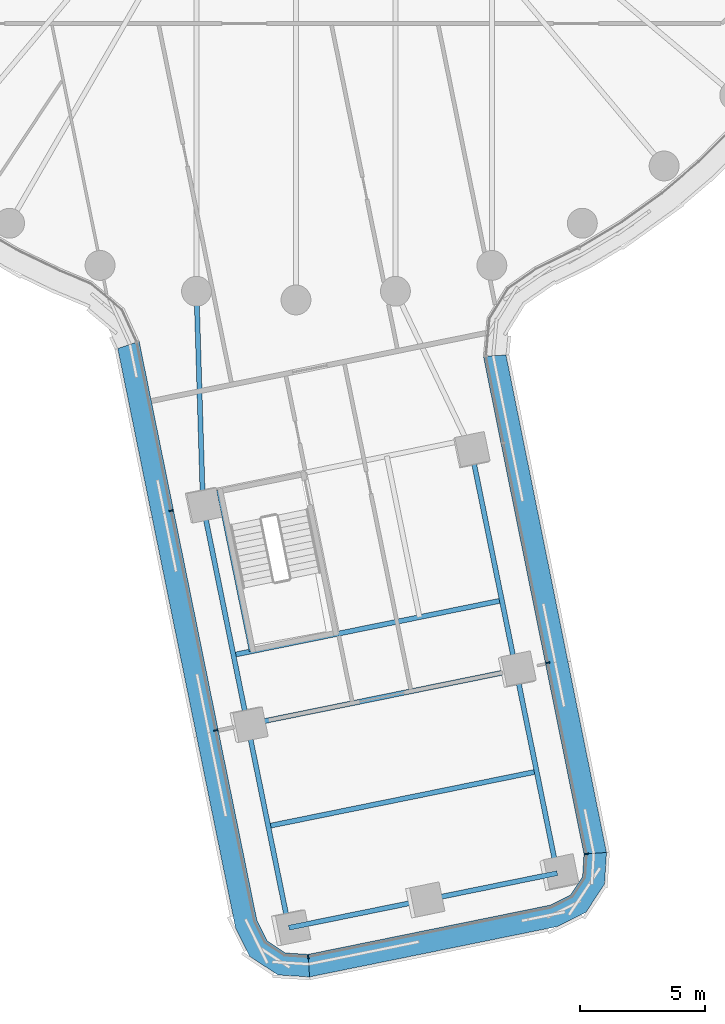
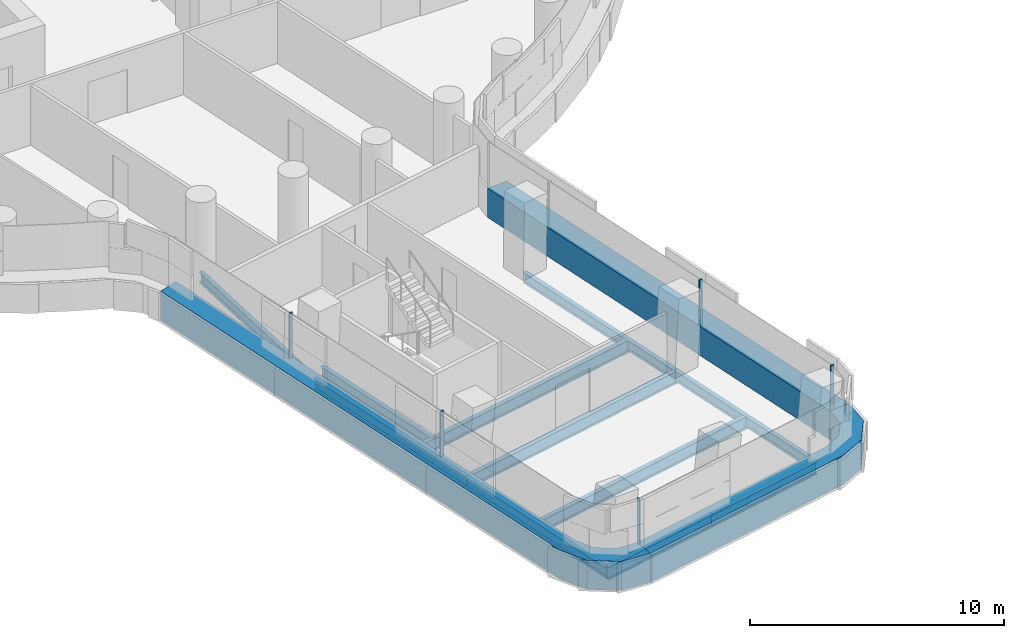
# One storey, part 2 of 31: 11 beams, 8 members, 3 elements without a shape of their own.
"""IFC4 building model written with IfcOpenShell, lengths in metres."""

from ifc_helpers import new_model, si_unit, direction, frame, origin, origin_2d, place, context, subcontext, project, spatial, polyline, rectangle, i_section, outline, extrude, material, layer, layer_set, material_profile, profile_set, type_object, element, aggregate, save


model = new_model("IFC4")

# Units and contexts
model_context = context("Model", 3, precision=1e-05, world=origin(), true_north=direction((0.0, 1.0)))
body_context = subcontext(model_context, "Body", "Model", "MODEL_VIEW")
ifc_project = project(units=[si_unit("LENGTHUNIT", "METRE"), si_unit("AREAUNIT", "SQUARE_METRE"), si_unit("VOLUMEUNIT", "CUBIC_METRE"), si_unit("PLANEANGLEUNIT", "RADIAN"), si_unit("MASSUNIT", "GRAM", prefix="KILO")], contexts=[model_context])

# Site, building, storey
site_placement = place(None, origin())
site = spatial("IfcSite", under=ifc_project, at=site_placement, CompositionType="ELEMENT")
building_placement = place(site_placement, origin())
building = spatial("IfcBuilding", under=site, at=building_placement, Name="Tamarind Cross Interchange Tower", CompositionType="ELEMENT")
storey_placement = place(building_placement, frame((0.0, 0.0, 75.25)))
storey = spatial("IfcBuildingStorey", under=building, at=storey_placement, Name="L17", CompositionType="ELEMENT", Elevation=75.25)

# Beams
ifc_material_1 = material(Name="Steel Q355B", Category="steel")
ifc_material_profile_1 = material_profile(ifc_material_1, i_section(OverallWidth=0.198974609375, OverallDepth=0.49609375, WebThickness=0.009033203125, FlangeThickness=0.013916015625, FilletRadius=0.012939453125, at=origin_2d()), Name="HN 496x199x9x14")
ifc_profile_set_1 = profile_set([ifc_material_profile_1], Name="Steel Q355B")
beam_type_1 = type_object("IfcBeamType", Name="Composite beam HN 496x199x9x14 Q355B", PredefinedType="BEAM", material=ifc_profile_set_1)
beam_1_placement = place(storey_placement, frame((-0.283447265625, -48.2099609375, -0.387939453125), z_axis=(-0.199260959921, 0.979946462747, 0.0), x_axis=(-0.979946462747, -0.199260959921, 0.0)))
element("IfcBeam", 1, at=beam_1_placement, inside=storey, type_object=beam_type_1, Name="Beam S-edgeem5", PredefinedType="BEAM", context=body_context, shape_type="SweptSolid", body=[
    extrude(i_section(OverallWidth=0.198974609375, OverallDepth=0.49609375, WebThickness=0.009033203125, FlangeThickness=0.013916015625, FilletRadius=0.012939453125, at=origin_2d()), origin(), (0.0, 0.0, 1.0), 8.327880859375),
])
beam_2_placement = place(storey_placement, frame((-1.94287109375, -40.049072265625, -0.387939453125), z_axis=(-0.199245132366, 0.979949680968, 0.0), x_axis=(-0.979949680968, -0.199245132366, 0.0)))
element("IfcBeam", 2, at=beam_2_placement, inside=storey, type_object=beam_type_1, Name="Beam S-edgeem6", PredefinedType="BEAM", context=body_context, shape_type="SweptSolid", body=[
    extrude(i_section(OverallWidth=0.198974609375, OverallDepth=0.49609375, WebThickness=0.009033203125, FlangeThickness=0.013916015625, FilletRadius=0.012939453125, at=origin_2d()), origin(), (0.0, 0.0, 1.0), 9.0),
])
beam_3_placement = place(storey_placement, frame((10.49609375, -46.018310546875, -0.387939453125), z_axis=(-0.199255235689, 0.979947626688, 0.0), x_axis=(-0.979947626688, -0.199255235689, 0.0)))
element("IfcBeam", 3, at=beam_3_placement, inside=storey, type_object=beam_type_1, Name="Beam S-edgeep2", PredefinedType="BEAM", context=body_context, shape_type="SweptSolid", body=[
    extrude(i_section(OverallWidth=0.198974609375, OverallDepth=0.49609375, WebThickness=0.009033203125, FlangeThickness=0.013916015625, FilletRadius=0.012939453125, at=origin_2d()), origin(), (0.0, 0.0, 1.0), 8.328125),
])
beam_4_placement = place(storey_placement, frame((8.836669921875, -37.857177734375, -0.387939453125), z_axis=(-0.199250428984, 0.979948604035, 0.0), x_axis=(-0.979948604035, -0.199250428984, 0.0)))
element("IfcBeam", 4, at=beam_4_placement, inside=storey, type_object=beam_type_1, Name="Beam S-edgeep3", PredefinedType="BEAM", context=body_context, shape_type="SweptSolid", body=[
    extrude(i_section(OverallWidth=0.198974609375, OverallDepth=0.49609375, WebThickness=0.009033203125, FlangeThickness=0.013916015625, FilletRadius=0.012939453125, at=origin_2d()), origin(), (0.0, 0.0, 1.0), 8.999755859375),
])
beam_5_placement = place(storey_placement, frame((-3.736083984375, -31.2294921875, -0.387939453125), z_axis=(-0.030038517643, 0.999548741912, 0.0), x_axis=(-0.999548741912, -0.030038517643, 0.0)))
element("IfcBeam", 5, at=beam_5_placement, inside=storey, type_object=beam_type_1, Name="Beam S-linkem", PredefinedType="BEAM", context=body_context, shape_type="SweptSolid", body=[
    extrude(i_section(OverallWidth=0.198974609375, OverallDepth=0.49609375, WebThickness=0.009033203125, FlangeThickness=0.013916015625, FilletRadius=0.012939453125, at=origin_2d()), origin(), (0.0, 0.0, 1.0), 8.582763671875),
])
beam_6_placement = place(storey_placement, frame((-3.090576171875, -30.638916015625, -0.387939453125), z_axis=(0.199230884197, -0.979952577823, 0.0), x_axis=(0.979952577823, 0.199230884197, 0.0)))
element("IfcBeam", 6, at=beam_6_placement, inside=storey, type_object=beam_type_1, Name="Beam S-tr0", PredefinedType="BEAM", context=body_context, shape_type="SweptSolid", body=[
    extrude(i_section(OverallWidth=0.198974609375, OverallDepth=0.49609375, WebThickness=0.009033203125, FlangeThickness=0.013916015625, FilletRadius=0.012939453125, at=origin_2d()), origin(), (0.0, 0.0, 1.0), 6.60009765625),
])
ifc_material_profile_2 = material_profile(ifc_material_1, i_section(OverallWidth=0.199951171875, OverallDepth=0.60009765625, WebThickness=0.010986328125, FlangeThickness=0.01708984375, FilletRadius=0.012939453125, at=origin_2d()), Name="HN 600x200x11x17")
ifc_profile_set_2 = profile_set([ifc_material_profile_2], Name="Steel Q355B")
beam_type_2 = type_object("IfcBeamType", Name="Composite beam HN 600x200x11x17 Q355B", PredefinedType="BEAM", material=ifc_profile_set_2)
beam_7_placement = place(storey_placement, frame((-0.283447265625, -48.2099609375, -0.43994140625), z_axis=(0.979954291995, 0.199222452549, 0.0), x_axis=(-0.199222452549, 0.979954291995, 0.0)))
element("IfcBeam", 7, at=beam_7_placement, inside=storey, type_object=beam_type_2, Name="Beam S-tip0", PredefinedType="BEAM", context=body_context, shape_type="SweptSolid", body=[
    extrude(i_section(OverallWidth=0.199951171875, OverallDepth=0.60009765625, WebThickness=0.010986328125, FlangeThickness=0.01708984375, FilletRadius=0.012939453125, at=origin_2d()), origin(), (0.0, 0.0, 1.0), 5.5),
])
beam_8_placement = place(storey_placement, frame((5.106201171875, -47.1142578125, -0.43994140625), z_axis=(0.979947387374, 0.199256412643, 0.0), x_axis=(-0.199256412643, 0.979947387374, 0.0)))
element("IfcBeam", 8, at=beam_8_placement, inside=storey, type_object=beam_type_2, Name="Beam S-tip1", PredefinedType="BEAM", context=body_context, shape_type="SweptSolid", body=[
    extrude(i_section(OverallWidth=0.199951171875, OverallDepth=0.60009765625, WebThickness=0.010986328125, FlangeThickness=0.01708984375, FilletRadius=0.012939453125, at=origin_2d()), origin(), (0.0, 0.0, 1.0), 5.500244140625),
])
beam_9_placement = place(storey_placement, frame((-2.5107421875, -37.256103515625, -0.43994140625), z_axis=(0.979950839741, 0.19923943307, 0.0), x_axis=(-0.19923943307, 0.979950839741, 0.0)))
element("IfcBeam", 9, at=beam_9_placement, inside=storey, type_object=beam_type_2, Name="Beam S-x364", PredefinedType="BEAM", context=body_context, shape_type="SweptSolid", body=[
    extrude(i_section(OverallWidth=0.199951171875, OverallDepth=0.60009765625, WebThickness=0.010986328125, FlangeThickness=0.01708984375, FilletRadius=0.012939453125, at=origin_2d()), origin(), (0.0, 0.0, 1.0), 11.0),
])
beam_10_placement = place(storey_placement, frame((-1.94287109375, -40.049072265625, -0.43994140625), z_axis=(0.97994650618, 0.199260746325, 0.0), x_axis=(-0.199260746325, 0.97994650618, 0.0)))
element("IfcBeam", 10, at=beam_10_placement, inside=storey, type_object=beam_type_2, Name="Beam S-x393", PredefinedType="BEAM", context=body_context, shape_type="SweptSolid", body=[
    extrude(i_section(OverallWidth=0.199951171875, OverallDepth=0.60009765625, WebThickness=0.010986328125, FlangeThickness=0.01708984375, FilletRadius=0.012939453125, at=origin_2d()), origin(), (0.0, 0.0, 1.0), 11.000244140625),
])
beam_11_placement = place(storey_placement, frame((-1.113037109375, -44.12939453125, -0.43994140625), z_axis=(0.979949958675, 0.199243766512, 0.0), x_axis=(-0.199243766512, 0.979949958675, 0.0)))
element("IfcBeam", 11, at=beam_11_placement, inside=storey, type_object=beam_type_2, Name="Beam S-x435", PredefinedType="BEAM", context=body_context, shape_type="SweptSolid", body=[
    extrude(i_section(OverallWidth=0.199951171875, OverallDepth=0.60009765625, WebThickness=0.010986328125, FlangeThickness=0.01708984375, FilletRadius=0.012939453125, at=origin_2d()), origin(), (0.0, 0.0, 1.0), 10.999755859375),
])

# Curtain wall, member
ifc_material_2 = material(Name="Aluminium 6063-T6", Category="aluminium")
ifc_layer = layer(ifc_material_2, 0.159912109375)
ifc_layer_set = layer_set([ifc_layer], Name="Aluminium 6063-T6")
curtain_wall_type = type_object("IfcCurtainWallType", Name="Office curtain wall, 9.0 m bays", PredefinedType="NOTDEFINED", material=ifc_layer_set)
curtain_wall_1_placement = place(storey_placement, origin())
curtain_wall_1 = element("IfcCurtainWall", 12, at=curtain_wall_1_placement, inside=storey, type_object=curtain_wall_type, Name="CWS-L17-03", PredefinedType="NOTDEFINED")
ifc_material_3 = material(Name="Aluminium and insulated spandrel panel", Category="aluminium")
member_type_1 = type_object("IfcMemberType", Name="Floor-edge blade transom", PredefinedType="USERDEFINED", material=ifc_material_3)
member_1_placement = place(storey_placement, origin())
member_1 = element("IfcMember", 13, at=member_1_placement, type_object=member_type_1, Name="CWT-L17-03", ObjectType="TRANSOM", PredefinedType="USERDEFINED", context=body_context, shape_type="SweptSolid", body=[
    extrude(outline(polyline([(-6.294921875, -24.6669921875), (-1.56689453125, -47.92041015625), (-1.158447265625, -48.73974609375), (-0.429443359375, -49.222412109375), (0.484375, -49.278564453125), (0.547607421875, -50.18408203125), (-0.72509765625, -50.10595703125), (-1.8564453125, -49.35693359375), (-2.42529296875, -48.2158203125), (-7.156494140625, -24.94677734375), (-6.294921875, -24.6669921875)])), origin(), (0.0, 0.0, 1.0), 1.39990234375),
])

curtain_wall_2_placement = place(storey_placement, origin())
curtain_wall_2 = element("IfcCurtainWall", 14, at=curtain_wall_2_placement, inside=storey, type_object=curtain_wall_type, Name="CWS-L17-04", PredefinedType="NOTDEFINED")
member_2_placement = place(storey_placement, origin())
member_2 = element("IfcMember", 15, at=member_2_placement, type_object=member_type_1, Name="CWT-L17-04", ObjectType="TRANSOM", PredefinedType="USERDEFINED", context=body_context, shape_type="SweptSolid", body=[
    extrude(outline(polyline([(0.484375, -49.278564453125), (10.206298828125, -47.3017578125), (11.025634765625, -46.8935546875), (11.508544921875, -46.164306640625), (11.564453125, -45.25048828125), (12.469970703125, -45.187744140625), (12.39208984375, -46.4599609375), (11.64306640625, -47.59130859375), (10.501708984375, -48.16015625), (0.547607421875, -50.18408203125), (0.484375, -49.278564453125)])), origin(), (0.0, 0.0, 1.0), 1.39990234375),
])

curtain_wall_3_placement = place(storey_placement, origin())
curtain_wall_3 = element("IfcCurtainWall", 16, at=curtain_wall_3_placement, inside=storey, type_object=curtain_wall_type, Name="CWS-L17-05", PredefinedType="NOTDEFINED")
member_3_placement = place(storey_placement, origin())
member_3 = element("IfcMember", 17, at=member_3_placement, type_object=member_type_1, Name="CWT-L17-05", ObjectType="TRANSOM", PredefinedType="USERDEFINED", context=body_context, shape_type="SweptSolid", body=[
    extrude(outline(polyline([(11.564453125, -45.25048828125), (7.525634765625, -25.258544921875), (8.434326171875, -25.211181640625), (12.469970703125, -45.187744140625), (11.564453125, -45.25048828125)])), origin(), (0.0, 0.0, 1.0), 1.39990234375),
])

# Member
ifc_material_profile_3 = material_profile(ifc_material_2, rectangle(XDim=0.06005859375, YDim=0.159912109375, at=origin_2d()), Name="Mullion CW1")
ifc_profile_set_3 = profile_set([ifc_material_profile_3], Name="Aluminium 6063-T6")
member_type_2 = type_object("IfcMemberType", Name="Mullion CW1", PredefinedType="MULLION", material=ifc_profile_set_3)
member_4_placement = place(storey_placement, frame((-5.0146484375, -31.465087890625, 1.39990234375), z_axis=(0.0, 0.0, 1.0), x_axis=(0.199244791873, -0.979949750197, 0.0)))
member_4 = element("IfcMember", 18, at=member_4_placement, type_object=member_type_2, Name="CWM-L17-03-01", PredefinedType="MULLION", context=body_context, shape_type="SweptSolid", body=[
    extrude(rectangle(XDim=0.06005859375, YDim=0.159912109375, at=origin_2d()), origin(), (0.0, 0.0, 1.0), 2.170166015625),
])

member_5_placement = place(storey_placement, frame((-3.2216796875, -40.283203125, 1.39990234375), z_axis=(0.0, 0.0, 1.0), x_axis=(0.199244791873, -0.979949750197, 0.0)))
member_5 = element("IfcMember", 19, at=member_5_placement, type_object=member_type_2, Name="CWM-L17-03-02", PredefinedType="MULLION", context=body_context, shape_type="SweptSolid", body=[
    extrude(rectangle(XDim=0.06005859375, YDim=0.159912109375, at=origin_2d()), origin(), (0.0, 0.0, 1.0), 2.170166015625),
])

aggregate(curtain_wall_1, [member_4, member_5, member_1])

member_6_placement = place(storey_placement, frame((0.4912109375, -49.379150390625, 1.39990234375), z_axis=(0.0, 0.0, 1.0), x_axis=(0.99757280824, 0.069631115598, 0.0)))
member_6 = element("IfcMember", 20, at=member_6_placement, type_object=member_type_2, Name="CWM-L17-04-00", PredefinedType="MULLION", context=body_context, shape_type="SweptSolid", body=[
    extrude(rectangle(XDim=0.06005859375, YDim=0.159912109375, at=origin_2d()), origin(), (0.0, 0.0, 1.0), 2.170166015625),
])

aggregate(curtain_wall_2, [member_6, member_2])

member_7_placement = place(storey_placement, frame((11.6650390625, -45.243408203125, 1.39990234375), z_axis=(0.0, 0.0, 1.0), x_axis=(-0.069009211684, 0.997616022677, 0.0)))
member_7 = element("IfcMember", 21, at=member_7_placement, type_object=member_type_2, Name="CWM-L17-05-00", PredefinedType="MULLION", context=body_context, shape_type="SweptSolid", body=[
    extrude(rectangle(XDim=0.06005859375, YDim=0.159912109375, at=origin_2d()), origin(), (0.0, 0.0, 1.0), 2.170166015625),
])

member_8_placement = place(storey_placement, frame((10.11474609375, -37.569091796875, 1.39990234375), z_axis=(0.0, 0.0, 1.0), x_axis=(-0.19802282903, 0.980197408272, 0.0)))
member_8 = element("IfcMember", 22, at=member_8_placement, type_object=member_type_2, Name="CWM-L17-05-01", PredefinedType="MULLION", context=body_context, shape_type="SweptSolid", body=[
    extrude(rectangle(XDim=0.06005859375, YDim=0.159912109375, at=origin_2d()), origin(), (0.0, 0.0, 1.0), 2.170166015625),
])

aggregate(curtain_wall_3, [member_7, member_8, member_3])

save(model, "model.ifc")
